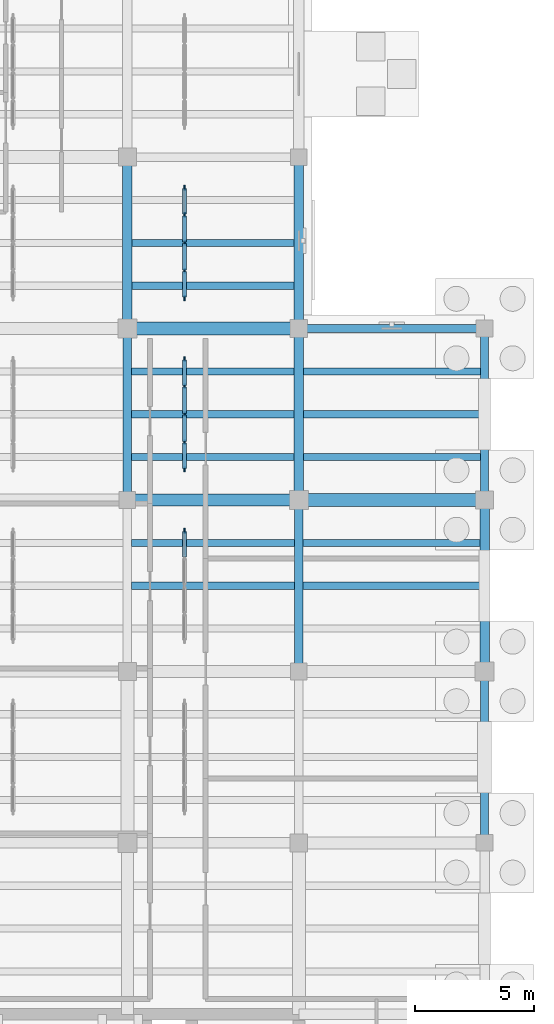
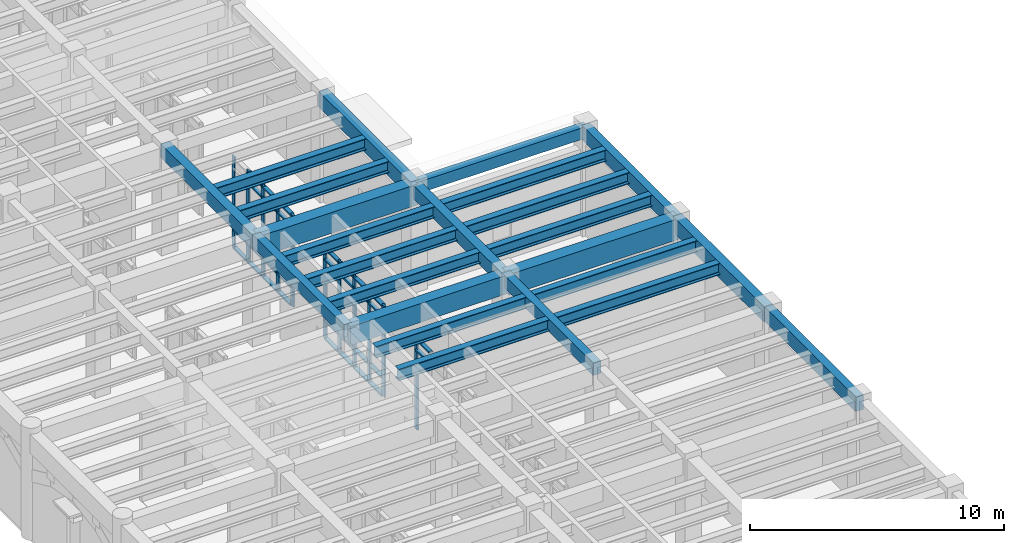
# One storey, part 44 of 100: 43 members, 24 beams, 3 elements without a shape of their own.
"""IFC4 building model written with IfcOpenShell, lengths in metres."""

from ifc_helpers import new_model, si_unit, direction, frame, origin, origin_2d, place, context, subcontext, project, spatial, rectangle, i_section, extrude, material, material_profile, profile_set, type_object, element, aggregate, save


model = new_model("IFC4")

# Units and contexts
model_context = context("Model", 3, precision=1e-05, world=origin(), true_north=direction((0.0, 1.0)))
body_context = subcontext(model_context, "Body", "Model", "MODEL_VIEW")
ifc_project = project(units=[si_unit("LENGTHUNIT", "METRE"), si_unit("AREAUNIT", "SQUARE_METRE"), si_unit("VOLUMEUNIT", "CUBIC_METRE"), si_unit("PLANEANGLEUNIT", "RADIAN"), si_unit("MASSUNIT", "GRAM", prefix="KILO")], contexts=[model_context])

# Site, building, storey
site_placement = place(None, origin())
site = spatial("IfcSite", under=ifc_project, at=site_placement, CompositionType="ELEMENT")
building_placement = place(site_placement, origin())
building = spatial("IfcBuilding", under=site, at=building_placement, Name="Mithqara Police Headquarters", CompositionType="ELEMENT")
storey_placement = place(building_placement, origin())
storey = spatial("IfcBuildingStorey", under=building, at=storey_placement, Name="L00", CompositionType="ELEMENT", Elevation=0.0)

# Beams
ifc_material_1 = material(Name="Steel S355JR", Category="steel")
ifc_material_profile_1 = material_profile(ifc_material_1, i_section(OverallWidth=0.300048828125, OverallDepth=0.550048828125, WebThickness=0.014892578125, FlangeThickness=0.029052734375, FilletRadius=0.027099609375, at=origin_2d()), Name="HEB 550")
ifc_profile_set_1 = profile_set([ifc_material_profile_1], Name="Steel S355JR")
beam_type_1 = type_object("IfcBeamType", Name="BEAM HEB550", PredefinedType="BEAM", material=ifc_profile_set_1)
for number, where, z_axis, x_axis, name in (
    (1, (159.175048828125, 67.800048828125, 4.844970703125), (1.0, 0.0, 0.0), (0.0, 1.0, 0.0), "L00 Composite Steel Joist 23-24/K.2"),
    (2, (159.175048828125, 69.60009765625, 4.844970703125), (1.0, 0.0, 0.0), (0.0, 1.0, 0.0), "L00 Composite Steel Joist 23-24/K.3"),
):
    element("IfcBeam", number, at=place(storey_placement, frame(where, z_axis=z_axis, x_axis=x_axis)), inside=storey, type_object=beam_type_1, Name=name, PredefinedType="BEAM", context=body_context, shape_type="SweptSolid", body=[
        extrude(i_section(OverallWidth=0.300048828125, OverallDepth=0.550048828125, WebThickness=0.014892578125, FlangeThickness=0.029052734375, FilletRadius=0.027099609375, at=origin_2d()), origin(), (0.0, 0.0, 1.0), 6.849853515625),
    ])
for number, where, z_axis, x_axis, name in (
    (3, (159.175048828125, 73.199951171875, 4.844970703125), (1.0, 0.0, 0.0), (0.0, 1.0, 0.0), "L00 Composite Steel Joist 23-24/L.1"),
    (4, (159.175048828125, 75.0, 4.844970703125), (1.0, 0.0, 0.0), (0.0, 1.0, 0.0), "L00 Composite Steel Joist 23-24/L.2"),
    (5, (159.175048828125, 76.800048828125, 4.844970703125), (1.0, 0.0, 0.0), (0.0, 1.0, 0.0), "L00 Composite Steel Joist 23-24/L.3"),
):
    element("IfcBeam", number, at=place(storey_placement, frame(where, z_axis=z_axis, x_axis=x_axis)), inside=storey, type_object=beam_type_1, Name=name, PredefinedType="BEAM", context=body_context, shape_type="SweptSolid", body=[
        extrude(i_section(OverallWidth=0.300048828125, OverallDepth=0.550048828125, WebThickness=0.014892578125, FlangeThickness=0.029052734375, FilletRadius=0.027099609375, at=origin_2d()), origin(), (0.0, 0.0, 1.0), 6.824951171875),
    ])
for number, where, z_axis, x_axis, name in (
    (6, (159.199951171875, 80.39990234375, 4.844970703125), (1.0, 0.0, 0.0), (0.0, 1.0, 0.0), "L00 Composite Steel Joist 23-24/M.1"),
    (7, (159.199951171875, 82.199951171875, 4.844970703125), (1.0, 0.0, 0.0), (0.0, 1.0, 0.0), "L00 Composite Steel Joist 23-24/M.2"),
):
    element("IfcBeam", number, at=place(storey_placement, frame(where, z_axis=z_axis, x_axis=x_axis)), inside=storey, type_object=beam_type_1, Name=name, PredefinedType="BEAM", context=body_context, shape_type="SweptSolid", body=[
        extrude(i_section(OverallWidth=0.300048828125, OverallDepth=0.550048828125, WebThickness=0.014892578125, FlangeThickness=0.029052734375, FilletRadius=0.027099609375, at=origin_2d()), origin(), (0.0, 0.0, 1.0), 6.800048828125),
    ])
for number, where, z_axis, x_axis, name in (
    (8, (166.375, 67.800048828125, 4.844970703125), (1.0, 0.0, 0.0), (0.0, 1.0, 0.0), "L00 Composite Steel Joist 24-25/K.2"),
    (9, (166.375, 69.60009765625, 4.844970703125), (1.0, 0.0, 0.0), (0.0, 1.0, 0.0), "L00 Composite Steel Joist 24-25/K.3"),
    (10, (166.39990234375, 73.199951171875, 4.844970703125), (1.0, 0.0, 0.0), (0.0, 1.0, 0.0), "L00 Composite Steel Joist 24-25/L.1"),
    (11, (166.39990234375, 75.0, 4.844970703125), (1.0, 0.0, 0.0), (0.0, 1.0, 0.0), "L00 Composite Steel Joist 24-25/L.2"),
    (12, (166.39990234375, 76.800048828125, 4.844970703125), (1.0, 0.0, 0.0), (0.0, 1.0, 0.0), "L00 Composite Steel Joist 24-25/L.3"),
):
    element("IfcBeam", number, at=place(storey_placement, frame(where, z_axis=z_axis, x_axis=x_axis)), inside=storey, type_object=beam_type_1, Name=name, PredefinedType="BEAM", context=body_context, shape_type="SweptSolid", body=[
        extrude(i_section(OverallWidth=0.300048828125, OverallDepth=0.550048828125, WebThickness=0.014892578125, FlangeThickness=0.029052734375, FilletRadius=0.027099609375, at=origin_2d()), origin(), (0.0, 0.0, 1.0), 7.425048828125),
    ])
ifc_material_2 = material(Name="Concrete C40/50", Category="concrete")
ifc_material_profile_2 = material_profile(ifc_material_2, rectangle(XDim=0.35009765625, YDim=0.550048828125, at=origin_2d()), Name="RC 350x550")
ifc_profile_set_2 = profile_set([ifc_material_profile_2], Name="Concrete C40/50")
beam_type_2 = type_object("IfcBeamType", Name="BEAM RC350X550", PredefinedType="BEAM", material=ifc_profile_set_2)
beam_1_placement = place(storey_placement, frame((166.199951171875, 78.60009765625, 4.844970703125), z_axis=(1.0, 0.0, 0.0), x_axis=(0.0, 1.0, 0.0)))
element("IfcBeam", 13, at=beam_1_placement, inside=storey, type_object=beam_type_2, Name="L00 Girder 24-25/M", PredefinedType="BEAM", context=body_context, shape_type="SweptSolid", body=[
    extrude(rectangle(XDim=0.35009765625, YDim=0.550048828125, at=origin_2d()), origin(), (0.0, 0.0, 1.0), 7.800048828125),
])
ifc_material_profile_3 = material_profile(ifc_material_2, rectangle(XDim=0.35009765625, YDim=0.60009765625, at=origin_2d()), Name="RC 350x600")
ifc_profile_set_3 = profile_set([ifc_material_profile_3], Name="Concrete C40/50")
beam_type_3 = type_object("IfcBeamType", Name="BEAM RC350X600", PredefinedType="BEAM", material=ifc_profile_set_3)
beam_2_placement = place(storey_placement, frame((159.0, 71.39990234375, 4.820068359375), z_axis=(0.0, 1.0, 0.0), x_axis=(-1.0, 0.0, 0.0)))
element("IfcBeam", 14, at=beam_2_placement, inside=storey, type_object=beam_type_3, Name="L00 Girder 23/L-M", PredefinedType="BEAM", context=body_context, shape_type="SweptSolid", body=[
    extrude(rectangle(XDim=0.35009765625, YDim=0.60009765625, at=origin_2d()), origin(), (0.0, 0.0, 1.0), 7.2001953125),
])
beam_3_placement = place(storey_placement, frame((166.199951171875, 64.199951171875, 4.820068359375), z_axis=(0.0, 1.0, 0.0), x_axis=(-1.0, 0.0, 0.0)))
element("IfcBeam", 15, at=beam_3_placement, inside=storey, type_object=beam_type_3, Name="L00 Girder 24/K-L", PredefinedType="BEAM", context=body_context, shape_type="SweptSolid", body=[
    extrude(rectangle(XDim=0.35009765625, YDim=0.60009765625, at=origin_2d()), origin(), (0.0, 0.0, 1.0), 7.199951171875),
])
ifc_material_profile_4 = material_profile(ifc_material_2, rectangle(XDim=0.39990234375, YDim=0.64990234375, at=origin_2d()), Name="RC 400x650")
ifc_profile_set_4 = profile_set([ifc_material_profile_4], Name="Concrete C40/50")
beam_type_4 = type_object("IfcBeamType", Name="BEAM RC400X650", PredefinedType="BEAM", material=ifc_profile_set_4)
beam_4_placement = place(storey_placement, frame((159.0, 78.60009765625, 4.794921875), z_axis=(0.0, 1.0, 0.0), x_axis=(-1.0, 0.0, 0.0)))
element("IfcBeam", 16, at=beam_4_placement, inside=storey, type_object=beam_type_4, Name="L00 Girder 23/M-N", PredefinedType="BEAM", context=body_context, shape_type="SweptSolid", body=[
    extrude(rectangle(XDim=0.39990234375, YDim=0.64990234375, at=origin_2d()), origin(), (0.0, 0.0, 1.0), 7.199951171875),
])
beam_5_placement = place(storey_placement, frame((166.199951171875, 71.39990234375, 4.794921875), z_axis=(0.0, 1.0, 0.0), x_axis=(-1.0, 0.0, 0.0)))
element("IfcBeam", 17, at=beam_5_placement, inside=storey, type_object=beam_type_4, Name="L00 Girder 24/L-M", PredefinedType="BEAM", context=body_context, shape_type="SweptSolid", body=[
    extrude(rectangle(XDim=0.39990234375, YDim=0.64990234375, at=origin_2d()), origin(), (0.0, 0.0, 1.0), 7.2001953125),
])
ifc_material_profile_5 = material_profile(ifc_material_2, rectangle(XDim=0.39990234375, YDim=0.75, at=origin_2d()), Name="RC 400x750")
ifc_profile_set_5 = profile_set([ifc_material_profile_5], Name="Concrete C40/50")
beam_type_5 = type_object("IfcBeamType", Name="BEAM RC400X750", PredefinedType="BEAM", material=ifc_profile_set_5)
beam_6_placement = place(storey_placement, frame((166.199951171875, 78.60009765625, 4.7451171875), z_axis=(0.0, 1.0, 0.0), x_axis=(-1.0, 0.0, 0.0)))
element("IfcBeam", 18, at=beam_6_placement, inside=storey, type_object=beam_type_5, Name="L00 Girder 24/M-N", PredefinedType="BEAM", context=body_context, shape_type="SweptSolid", body=[
    extrude(rectangle(XDim=0.39990234375, YDim=0.75, at=origin_2d()), origin(), (0.0, 0.0, 1.0), 7.199951171875),
])
ifc_material_3 = material(Name="Concrete C50/60", Category="concrete")
ifc_material_profile_6 = material_profile(ifc_material_3, rectangle(XDim=0.5, YDim=0.89990234375, at=origin_2d()), Name="RC 500x900")
ifc_profile_set_6 = profile_set([ifc_material_profile_6], Name="Concrete C50/60")
beam_type_6 = type_object("IfcBeamType", Name="BEAM RC500X900", PredefinedType="BEAM", material=ifc_profile_set_6)
beam_7_placement = place(storey_placement, frame((159.0, 71.39990234375, 4.669921875), z_axis=(1.0, 0.0, 0.0), x_axis=(0.0, 1.0, 0.0)))
element("IfcBeam", 19, at=beam_7_placement, inside=storey, type_object=beam_type_6, Name="L00 Girder 23-24/L", PredefinedType="BEAM", context=body_context, shape_type="SweptSolid", body=[
    extrude(rectangle(XDim=0.5, YDim=0.89990234375, at=origin_2d()), origin(), (0.0, 0.0, 1.0), 7.199951171875),
])
ifc_material_profile_7 = material_profile(ifc_material_3, rectangle(XDim=0.550048828125, YDim=1.0, at=origin_2d()), Name="RC 550x1000")
ifc_profile_set_7 = profile_set([ifc_material_profile_7], Name="Concrete C50/60")
beam_type_7 = type_object("IfcBeamType", Name="BEAM RC550X1000", PredefinedType="BEAM", material=ifc_profile_set_7)
beam_8_placement = place(storey_placement, frame((159.0, 78.60009765625, 4.6201171875), z_axis=(1.0, 0.0, 0.0), x_axis=(0.0, 1.0, 0.0)))
element("IfcBeam", 20, at=beam_8_placement, inside=storey, type_object=beam_type_7, Name="L00 Girder 23-24/M", PredefinedType="BEAM", context=body_context, shape_type="SweptSolid", body=[
    extrude(rectangle(XDim=0.550048828125, YDim=1.0, at=origin_2d()), origin(), (0.0, 0.0, 1.0), 7.199951171875),
])
beam_9_placement = place(storey_placement, frame((166.199951171875, 71.39990234375, 4.6201171875), z_axis=(1.0, 0.0, 0.0), x_axis=(0.0, 1.0, 0.0)))
element("IfcBeam", 21, at=beam_9_placement, inside=storey, type_object=beam_type_7, Name="L00 Girder 24-25/L", PredefinedType="BEAM", context=body_context, shape_type="SweptSolid", body=[
    extrude(rectangle(XDim=0.550048828125, YDim=1.0, at=origin_2d()), origin(), (0.0, 0.0, 1.0), 7.800048828125),
])

# Curtain wall, member
ifc_material_4 = material(Name="Bronze anodised aluminium 6063-T6", Category="aluminium")
curtain_wall_type = type_object("IfcCurtainWallType", Name="CURTAIN WALL 4700X4400", PredefinedType="USERDEFINED", material=ifc_material_4)
curtain_wall_1_placement = place(storey_placement, origin())
curtain_wall_1 = element("IfcCurtainWall", 22, at=curtain_wall_1_placement, inside=storey, type_object=curtain_wall_type, Name="L00 Unitised Glazing CW-14 (CW-INT-L00-X22-Y09-0)", ObjectType="UNITISED GLAZING", PredefinedType="USERDEFINED")
ifc_material_profile_8 = material_profile(ifc_material_4, rectangle(XDim=0.074951171875, YDim=0.219970703125, at=origin_2d()), Name="CWM 75x220")
ifc_profile_set_8 = profile_set([ifc_material_profile_8], Name="Bronze anodised aluminium 6063-T6")
member_type_1 = type_object("IfcMemberType", Name="CWMULLION 75X220", PredefinedType="MULLION", material=ifc_profile_set_8)
member_1_placement = place(storey_placement, frame((161.39990234375, 70.112548828125, 0.0), z_axis=(0.0, 0.0, 1.0), x_axis=(-1.0, 0.0, 0.0)))
member_1 = element("IfcMember", 23, at=member_1_placement, type_object=member_type_1, Name="CW-14 mullion 5", PredefinedType="MULLION", context=body_context, shape_type="SweptSolid", body=[
    extrude(rectangle(XDim=0.074951171875, YDim=0.219970703125, at=origin_2d()), origin(), (0.0, 0.0, 1.0), 4.39990234375),
])

# Curtain wall, members
curtain_wall_2_placement = place(storey_placement, origin())
curtain_wall_2 = element("IfcCurtainWall", 24, at=curtain_wall_2_placement, inside=storey, type_object=curtain_wall_type, Name="L00 Unitised Glazing CW-14 (CW-INT-L00-X22-Y10-0)", ObjectType="UNITISED GLAZING", PredefinedType="USERDEFINED")
member_2_placement = place(storey_placement, frame((161.39990234375, 72.6875, 0.0), z_axis=(0.0, 0.0, 1.0), x_axis=(-1.0, 0.0, 0.0)))
member_2 = element("IfcMember", 25, at=member_2_placement, type_object=member_type_1, Name="CW-14 mullion 1", PredefinedType="MULLION", context=body_context, shape_type="SweptSolid", body=[
    extrude(rectangle(XDim=0.074951171875, YDim=0.219970703125, at=origin_2d()), origin(), (0.0, 0.0, 1.0), 4.39990234375),
])
member_3_placement = place(storey_placement, frame((161.39990234375, 73.824951171875, 0.0), z_axis=(0.0, 0.0, 1.0), x_axis=(-1.0, 0.0, 0.0)))
member_3 = element("IfcMember", 26, at=member_3_placement, type_object=member_type_1, Name="CW-14 mullion 2", PredefinedType="MULLION", context=body_context, shape_type="SweptSolid", body=[
    extrude(rectangle(XDim=0.074951171875, YDim=0.219970703125, at=origin_2d()), origin(), (0.0, 0.0, 1.0), 4.39990234375),
])
member_4_placement = place(storey_placement, frame((161.39990234375, 75.0, 0.0), z_axis=(0.0, 0.0, 1.0), x_axis=(-1.0, 0.0, 0.0)))
member_4 = element("IfcMember", 27, at=member_4_placement, type_object=member_type_1, Name="CW-14 mullion 3", PredefinedType="MULLION", context=body_context, shape_type="SweptSolid", body=[
    extrude(rectangle(XDim=0.074951171875, YDim=0.219970703125, at=origin_2d()), origin(), (0.0, 0.0, 1.0), 4.39990234375),
])
member_5_placement = place(storey_placement, frame((161.39990234375, 76.175048828125, 0.0), z_axis=(0.0, 0.0, 1.0), x_axis=(-1.0, 0.0, 0.0)))
member_5 = element("IfcMember", 28, at=member_5_placement, type_object=member_type_1, Name="CW-14 mullion 4", PredefinedType="MULLION", context=body_context, shape_type="SweptSolid", body=[
    extrude(rectangle(XDim=0.074951171875, YDim=0.219970703125, at=origin_2d()), origin(), (0.0, 0.0, 1.0), 4.39990234375),
])
member_6_placement = place(storey_placement, frame((161.39990234375, 77.3125, 0.0), z_axis=(0.0, 0.0, 1.0), x_axis=(-1.0, 0.0, 0.0)))
member_6 = element("IfcMember", 29, at=member_6_placement, type_object=member_type_1, Name="CW-14 mullion 5", PredefinedType="MULLION", context=body_context, shape_type="SweptSolid", body=[
    extrude(rectangle(XDim=0.074951171875, YDim=0.219970703125, at=origin_2d()), origin(), (0.0, 0.0, 1.0), 4.39990234375),
])

curtain_wall_3_placement = place(storey_placement, origin())
curtain_wall_3 = element("IfcCurtainWall", 30, at=curtain_wall_3_placement, inside=storey, type_object=curtain_wall_type, Name="L00 Unitised Glazing CW-14 (CW-INT-L00-X22-Y11-0)", ObjectType="UNITISED GLAZING", PredefinedType="USERDEFINED")
member_7_placement = place(storey_placement, frame((161.39990234375, 79.887451171875, 0.0), z_axis=(0.0, 0.0, 1.0), x_axis=(-1.0, 0.0, 0.0)))
member_7 = element("IfcMember", 31, at=member_7_placement, type_object=member_type_1, Name="CW-14 mullion 1", PredefinedType="MULLION", context=body_context, shape_type="SweptSolid", body=[
    extrude(rectangle(XDim=0.074951171875, YDim=0.219970703125, at=origin_2d()), origin(), (0.0, 0.0, 1.0), 4.39990234375),
])
member_8_placement = place(storey_placement, frame((161.39990234375, 81.02490234375, 0.0), z_axis=(0.0, 0.0, 1.0), x_axis=(-1.0, 0.0, 0.0)))
member_8 = element("IfcMember", 32, at=member_8_placement, type_object=member_type_1, Name="CW-14 mullion 2", PredefinedType="MULLION", context=body_context, shape_type="SweptSolid", body=[
    extrude(rectangle(XDim=0.074951171875, YDim=0.219970703125, at=origin_2d()), origin(), (0.0, 0.0, 1.0), 4.39990234375),
])
member_9_placement = place(storey_placement, frame((161.39990234375, 82.199951171875, 0.0), z_axis=(0.0, 0.0, 1.0), x_axis=(-1.0, 0.0, 0.0)))
member_9 = element("IfcMember", 33, at=member_9_placement, type_object=member_type_1, Name="CW-14 mullion 3", PredefinedType="MULLION", context=body_context, shape_type="SweptSolid", body=[
    extrude(rectangle(XDim=0.074951171875, YDim=0.219970703125, at=origin_2d()), origin(), (0.0, 0.0, 1.0), 4.39990234375),
])
member_10_placement = place(storey_placement, frame((161.39990234375, 83.375, 0.0), z_axis=(0.0, 0.0, 1.0), x_axis=(-1.0, 0.0, 0.0)))
member_10 = element("IfcMember", 34, at=member_10_placement, type_object=member_type_1, Name="CW-14 mullion 4", PredefinedType="MULLION", context=body_context, shape_type="SweptSolid", body=[
    extrude(rectangle(XDim=0.074951171875, YDim=0.219970703125, at=origin_2d()), origin(), (0.0, 0.0, 1.0), 4.39990234375),
])
member_11_placement = place(storey_placement, frame((161.39990234375, 84.512451171875, 0.0), z_axis=(0.0, 0.0, 1.0), x_axis=(-1.0, 0.0, 0.0)))
member_11 = element("IfcMember", 35, at=member_11_placement, type_object=member_type_1, Name="CW-14 mullion 5", PredefinedType="MULLION", context=body_context, shape_type="SweptSolid", body=[
    extrude(rectangle(XDim=0.074951171875, YDim=0.219970703125, at=origin_2d()), origin(), (0.0, 0.0, 1.0), 4.39990234375),
])

# Member
ifc_material_profile_9 = material_profile(ifc_material_4, rectangle(XDim=0.179931640625, YDim=0.074951171875, at=origin_2d()), Name="CWT 180x75")
ifc_profile_set_9 = profile_set([ifc_material_profile_9], Name="Bronze anodised aluminium 6063-T6")
member_type_2 = type_object("IfcMemberType", Name="CWTRANSOM 180X75", PredefinedType="USERDEFINED", material=ifc_profile_set_9)
member_12_placement = place(storey_placement, frame((161.39990234375, 69.012451171875, 3.85009765625), z_axis=(0.0, 1.0, 0.0), x_axis=(-1.0, 0.0, 0.0)))
member_12 = element("IfcMember", 36, at=member_12_placement, type_object=member_type_2, Name="CW-14 transom 4.3", ObjectType="TRANSOM", PredefinedType="USERDEFINED", context=body_context, shape_type="SweptSolid", body=[
    extrude(rectangle(XDim=0.179931640625, YDim=0.074951171875, at=origin_2d()), origin(), (0.0, 0.0, 1.0), 1.0625),
])

member_13_placement = place(storey_placement, frame((161.39990234375, 69.012451171875, 4.362548828125), z_axis=(0.0, 1.0, 0.0), x_axis=(-1.0, 0.0, 0.0)))
member_13 = element("IfcMember", 37, at=member_13_placement, type_object=member_type_2, Name="CW-14 transom 4.4", ObjectType="TRANSOM", PredefinedType="USERDEFINED", context=body_context, shape_type="SweptSolid", body=[
    extrude(rectangle(XDim=0.179931640625, YDim=0.074951171875, at=origin_2d()), origin(), (0.0, 0.0, 1.0), 1.0625),
])

aggregate(curtain_wall_1, [member_1, member_12, member_13])

member_14_placement = place(storey_placement, frame((161.39990234375, 72.72509765625, 0.03759765625), z_axis=(0.0, 1.0, 0.0), x_axis=(-1.0, 0.0, 0.0)))
member_14 = element("IfcMember", 38, at=member_14_placement, type_object=member_type_2, Name="CW-14 transom 1.1", ObjectType="TRANSOM", PredefinedType="USERDEFINED", context=body_context, shape_type="SweptSolid", body=[
    extrude(rectangle(XDim=0.179931640625, YDim=0.074951171875, at=origin_2d()), origin(), (0.0, 0.0, 1.0), 1.0625),
])

member_15_placement = place(storey_placement, frame((161.39990234375, 72.72509765625, 0.89990234375), z_axis=(0.0, 1.0, 0.0), x_axis=(-1.0, 0.0, 0.0)))
member_15 = element("IfcMember", 39, at=member_15_placement, type_object=member_type_2, Name="CW-14 transom 1.2", ObjectType="TRANSOM", PredefinedType="USERDEFINED", context=body_context, shape_type="SweptSolid", body=[
    extrude(rectangle(XDim=0.179931640625, YDim=0.074951171875, at=origin_2d()), origin(), (0.0, 0.0, 1.0), 1.0625),
])

member_16_placement = place(storey_placement, frame((161.39990234375, 72.72509765625, 3.85009765625), z_axis=(0.0, 1.0, 0.0), x_axis=(-1.0, 0.0, 0.0)))
member_16 = element("IfcMember", 40, at=member_16_placement, type_object=member_type_2, Name="CW-14 transom 1.3", ObjectType="TRANSOM", PredefinedType="USERDEFINED", context=body_context, shape_type="SweptSolid", body=[
    extrude(rectangle(XDim=0.179931640625, YDim=0.074951171875, at=origin_2d()), origin(), (0.0, 0.0, 1.0), 1.0625),
])

member_17_placement = place(storey_placement, frame((161.39990234375, 72.72509765625, 4.362548828125), z_axis=(0.0, 1.0, 0.0), x_axis=(-1.0, 0.0, 0.0)))
member_17 = element("IfcMember", 41, at=member_17_placement, type_object=member_type_2, Name="CW-14 transom 1.4", ObjectType="TRANSOM", PredefinedType="USERDEFINED", context=body_context, shape_type="SweptSolid", body=[
    extrude(rectangle(XDim=0.179931640625, YDim=0.074951171875, at=origin_2d()), origin(), (0.0, 0.0, 1.0), 1.0625),
])

member_18_placement = place(storey_placement, frame((161.39990234375, 73.862548828125, 0.03759765625), z_axis=(0.0, 1.0, 0.0), x_axis=(-1.0, 0.0, 0.0)))
member_18 = element("IfcMember", 42, at=member_18_placement, type_object=member_type_2, Name="CW-14 transom 2.1", ObjectType="TRANSOM", PredefinedType="USERDEFINED", context=body_context, shape_type="SweptSolid", body=[
    extrude(rectangle(XDim=0.179931640625, YDim=0.074951171875, at=origin_2d()), origin(), (0.0, 0.0, 1.0), 1.099853515625),
])

member_19_placement = place(storey_placement, frame((161.39990234375, 73.862548828125, 0.89990234375), z_axis=(0.0, 1.0, 0.0), x_axis=(-1.0, 0.0, 0.0)))
member_19 = element("IfcMember", 43, at=member_19_placement, type_object=member_type_2, Name="CW-14 transom 2.2", ObjectType="TRANSOM", PredefinedType="USERDEFINED", context=body_context, shape_type="SweptSolid", body=[
    extrude(rectangle(XDim=0.179931640625, YDim=0.074951171875, at=origin_2d()), origin(), (0.0, 0.0, 1.0), 1.099853515625),
])

member_20_placement = place(storey_placement, frame((161.39990234375, 73.862548828125, 3.85009765625), z_axis=(0.0, 1.0, 0.0), x_axis=(-1.0, 0.0, 0.0)))
member_20 = element("IfcMember", 44, at=member_20_placement, type_object=member_type_2, Name="CW-14 transom 2.3", ObjectType="TRANSOM", PredefinedType="USERDEFINED", context=body_context, shape_type="SweptSolid", body=[
    extrude(rectangle(XDim=0.179931640625, YDim=0.074951171875, at=origin_2d()), origin(), (0.0, 0.0, 1.0), 1.099853515625),
])

member_21_placement = place(storey_placement, frame((161.39990234375, 73.862548828125, 4.362548828125), z_axis=(0.0, 1.0, 0.0), x_axis=(-1.0, 0.0, 0.0)))
member_21 = element("IfcMember", 45, at=member_21_placement, type_object=member_type_2, Name="CW-14 transom 2.4", ObjectType="TRANSOM", PredefinedType="USERDEFINED", context=body_context, shape_type="SweptSolid", body=[
    extrude(rectangle(XDim=0.179931640625, YDim=0.074951171875, at=origin_2d()), origin(), (0.0, 0.0, 1.0), 1.099853515625),
])

member_22_placement = place(storey_placement, frame((161.39990234375, 75.03759765625, 0.03759765625), z_axis=(0.0, 1.0, 0.0), x_axis=(-1.0, 0.0, 0.0)))
member_22 = element("IfcMember", 46, at=member_22_placement, type_object=member_type_2, Name="CW-14 transom 3.1", ObjectType="TRANSOM", PredefinedType="USERDEFINED", context=body_context, shape_type="SweptSolid", body=[
    extrude(rectangle(XDim=0.179931640625, YDim=0.074951171875, at=origin_2d()), origin(), (0.0, 0.0, 1.0), 1.099853515625),
])

member_23_placement = place(storey_placement, frame((161.39990234375, 75.03759765625, 0.89990234375), z_axis=(0.0, 1.0, 0.0), x_axis=(-1.0, 0.0, 0.0)))
member_23 = element("IfcMember", 47, at=member_23_placement, type_object=member_type_2, Name="CW-14 transom 3.2", ObjectType="TRANSOM", PredefinedType="USERDEFINED", context=body_context, shape_type="SweptSolid", body=[
    extrude(rectangle(XDim=0.179931640625, YDim=0.074951171875, at=origin_2d()), origin(), (0.0, 0.0, 1.0), 1.099853515625),
])

member_24_placement = place(storey_placement, frame((161.39990234375, 75.03759765625, 3.85009765625), z_axis=(0.0, 1.0, 0.0), x_axis=(-1.0, 0.0, 0.0)))
member_24 = element("IfcMember", 48, at=member_24_placement, type_object=member_type_2, Name="CW-14 transom 3.3", ObjectType="TRANSOM", PredefinedType="USERDEFINED", context=body_context, shape_type="SweptSolid", body=[
    extrude(rectangle(XDim=0.179931640625, YDim=0.074951171875, at=origin_2d()), origin(), (0.0, 0.0, 1.0), 1.099853515625),
])

member_25_placement = place(storey_placement, frame((161.39990234375, 75.03759765625, 4.362548828125), z_axis=(0.0, 1.0, 0.0), x_axis=(-1.0, 0.0, 0.0)))
member_25 = element("IfcMember", 49, at=member_25_placement, type_object=member_type_2, Name="CW-14 transom 3.4", ObjectType="TRANSOM", PredefinedType="USERDEFINED", context=body_context, shape_type="SweptSolid", body=[
    extrude(rectangle(XDim=0.179931640625, YDim=0.074951171875, at=origin_2d()), origin(), (0.0, 0.0, 1.0), 1.099853515625),
])

member_26_placement = place(storey_placement, frame((161.39990234375, 76.21240234375, 0.03759765625), z_axis=(0.0, 1.0, 0.0), x_axis=(-1.0, 0.0, 0.0)))
member_26 = element("IfcMember", 50, at=member_26_placement, type_object=member_type_2, Name="CW-14 transom 4.1", ObjectType="TRANSOM", PredefinedType="USERDEFINED", context=body_context, shape_type="SweptSolid", body=[
    extrude(rectangle(XDim=0.179931640625, YDim=0.074951171875, at=origin_2d()), origin(), (0.0, 0.0, 1.0), 1.0625),
])

member_27_placement = place(storey_placement, frame((161.39990234375, 76.21240234375, 0.89990234375), z_axis=(0.0, 1.0, 0.0), x_axis=(-1.0, 0.0, 0.0)))
member_27 = element("IfcMember", 51, at=member_27_placement, type_object=member_type_2, Name="CW-14 transom 4.2", ObjectType="TRANSOM", PredefinedType="USERDEFINED", context=body_context, shape_type="SweptSolid", body=[
    extrude(rectangle(XDim=0.179931640625, YDim=0.074951171875, at=origin_2d()), origin(), (0.0, 0.0, 1.0), 1.0625),
])

member_28_placement = place(storey_placement, frame((161.39990234375, 76.21240234375, 3.85009765625), z_axis=(0.0, 1.0, 0.0), x_axis=(-1.0, 0.0, 0.0)))
member_28 = element("IfcMember", 52, at=member_28_placement, type_object=member_type_2, Name="CW-14 transom 4.3", ObjectType="TRANSOM", PredefinedType="USERDEFINED", context=body_context, shape_type="SweptSolid", body=[
    extrude(rectangle(XDim=0.179931640625, YDim=0.074951171875, at=origin_2d()), origin(), (0.0, 0.0, 1.0), 1.0625),
])

member_29_placement = place(storey_placement, frame((161.39990234375, 76.21240234375, 4.362548828125), z_axis=(0.0, 1.0, 0.0), x_axis=(-1.0, 0.0, 0.0)))
member_29 = element("IfcMember", 53, at=member_29_placement, type_object=member_type_2, Name="CW-14 transom 4.4", ObjectType="TRANSOM", PredefinedType="USERDEFINED", context=body_context, shape_type="SweptSolid", body=[
    extrude(rectangle(XDim=0.179931640625, YDim=0.074951171875, at=origin_2d()), origin(), (0.0, 0.0, 1.0), 1.0625),
])

aggregate(curtain_wall_2, [member_2, member_3, member_4, member_5, member_6, member_14, member_15, member_16, member_17, member_18, member_19, member_20, member_21, member_22, member_23, member_24, member_25, member_26, member_27, member_28, member_29])

member_30_placement = place(storey_placement, frame((161.39990234375, 79.925048828125, 0.03759765625), z_axis=(0.0, 1.0, 0.0), x_axis=(-1.0, 0.0, 0.0)))
member_30 = element("IfcMember", 54, at=member_30_placement, type_object=member_type_2, Name="CW-14 transom 1.1", ObjectType="TRANSOM", PredefinedType="USERDEFINED", context=body_context, shape_type="SweptSolid", body=[
    extrude(rectangle(XDim=0.179931640625, YDim=0.074951171875, at=origin_2d()), origin(), (0.0, 0.0, 1.0), 1.0625),
])

member_31_placement = place(storey_placement, frame((161.39990234375, 79.925048828125, 0.89990234375), z_axis=(0.0, 1.0, 0.0), x_axis=(-1.0, 0.0, 0.0)))
member_31 = element("IfcMember", 55, at=member_31_placement, type_object=member_type_2, Name="CW-14 transom 1.2", ObjectType="TRANSOM", PredefinedType="USERDEFINED", context=body_context, shape_type="SweptSolid", body=[
    extrude(rectangle(XDim=0.179931640625, YDim=0.074951171875, at=origin_2d()), origin(), (0.0, 0.0, 1.0), 1.0625),
])

member_32_placement = place(storey_placement, frame((161.39990234375, 79.925048828125, 3.85009765625), z_axis=(0.0, 1.0, 0.0), x_axis=(-1.0, 0.0, 0.0)))
member_32 = element("IfcMember", 56, at=member_32_placement, type_object=member_type_2, Name="CW-14 transom 1.3", ObjectType="TRANSOM", PredefinedType="USERDEFINED", context=body_context, shape_type="SweptSolid", body=[
    extrude(rectangle(XDim=0.179931640625, YDim=0.074951171875, at=origin_2d()), origin(), (0.0, 0.0, 1.0), 1.0625),
])

member_33_placement = place(storey_placement, frame((161.39990234375, 79.925048828125, 4.362548828125), z_axis=(0.0, 1.0, 0.0), x_axis=(-1.0, 0.0, 0.0)))
member_33 = element("IfcMember", 57, at=member_33_placement, type_object=member_type_2, Name="CW-14 transom 1.4", ObjectType="TRANSOM", PredefinedType="USERDEFINED", context=body_context, shape_type="SweptSolid", body=[
    extrude(rectangle(XDim=0.179931640625, YDim=0.074951171875, at=origin_2d()), origin(), (0.0, 0.0, 1.0), 1.0625),
])

member_34_placement = place(storey_placement, frame((161.39990234375, 81.0625, 0.03759765625), z_axis=(0.0, 1.0, 0.0), x_axis=(-1.0, 0.0, 0.0)))
member_34 = element("IfcMember", 58, at=member_34_placement, type_object=member_type_2, Name="CW-14 transom 2.1", ObjectType="TRANSOM", PredefinedType="USERDEFINED", context=body_context, shape_type="SweptSolid", body=[
    extrude(rectangle(XDim=0.179931640625, YDim=0.074951171875, at=origin_2d()), origin(), (0.0, 0.0, 1.0), 1.10009765625),
])

member_35_placement = place(storey_placement, frame((161.39990234375, 81.0625, 0.89990234375), z_axis=(0.0, 1.0, 0.0), x_axis=(-1.0, 0.0, 0.0)))
member_35 = element("IfcMember", 59, at=member_35_placement, type_object=member_type_2, Name="CW-14 transom 2.2", ObjectType="TRANSOM", PredefinedType="USERDEFINED", context=body_context, shape_type="SweptSolid", body=[
    extrude(rectangle(XDim=0.179931640625, YDim=0.074951171875, at=origin_2d()), origin(), (0.0, 0.0, 1.0), 1.10009765625),
])

member_36_placement = place(storey_placement, frame((161.39990234375, 81.0625, 3.85009765625), z_axis=(0.0, 1.0, 0.0), x_axis=(-1.0, 0.0, 0.0)))
member_36 = element("IfcMember", 60, at=member_36_placement, type_object=member_type_2, Name="CW-14 transom 2.3", ObjectType="TRANSOM", PredefinedType="USERDEFINED", context=body_context, shape_type="SweptSolid", body=[
    extrude(rectangle(XDim=0.179931640625, YDim=0.074951171875, at=origin_2d()), origin(), (0.0, 0.0, 1.0), 1.10009765625),
])

member_37_placement = place(storey_placement, frame((161.39990234375, 81.0625, 4.362548828125), z_axis=(0.0, 1.0, 0.0), x_axis=(-1.0, 0.0, 0.0)))
member_37 = element("IfcMember", 61, at=member_37_placement, type_object=member_type_2, Name="CW-14 transom 2.4", ObjectType="TRANSOM", PredefinedType="USERDEFINED", context=body_context, shape_type="SweptSolid", body=[
    extrude(rectangle(XDim=0.179931640625, YDim=0.074951171875, at=origin_2d()), origin(), (0.0, 0.0, 1.0), 1.10009765625),
])

member_38_placement = place(storey_placement, frame((161.39990234375, 82.237548828125, 0.03759765625), z_axis=(0.0, 1.0, 0.0), x_axis=(-1.0, 0.0, 0.0)))
member_38 = element("IfcMember", 62, at=member_38_placement, type_object=member_type_2, Name="CW-14 transom 3.1", ObjectType="TRANSOM", PredefinedType="USERDEFINED", context=body_context, shape_type="SweptSolid", body=[
    extrude(rectangle(XDim=0.179931640625, YDim=0.074951171875, at=origin_2d()), origin(), (0.0, 0.0, 1.0), 1.099853515625),
])

member_39_placement = place(storey_placement, frame((161.39990234375, 82.237548828125, 0.89990234375), z_axis=(0.0, 1.0, 0.0), x_axis=(-1.0, 0.0, 0.0)))
member_39 = element("IfcMember", 63, at=member_39_placement, type_object=member_type_2, Name="CW-14 transom 3.2", ObjectType="TRANSOM", PredefinedType="USERDEFINED", context=body_context, shape_type="SweptSolid", body=[
    extrude(rectangle(XDim=0.179931640625, YDim=0.074951171875, at=origin_2d()), origin(), (0.0, 0.0, 1.0), 1.099853515625),
])

member_40_placement = place(storey_placement, frame((161.39990234375, 82.237548828125, 3.85009765625), z_axis=(0.0, 1.0, 0.0), x_axis=(-1.0, 0.0, 0.0)))
member_40 = element("IfcMember", 64, at=member_40_placement, type_object=member_type_2, Name="CW-14 transom 3.3", ObjectType="TRANSOM", PredefinedType="USERDEFINED", context=body_context, shape_type="SweptSolid", body=[
    extrude(rectangle(XDim=0.179931640625, YDim=0.074951171875, at=origin_2d()), origin(), (0.0, 0.0, 1.0), 1.099853515625),
])

member_41_placement = place(storey_placement, frame((161.39990234375, 82.237548828125, 4.362548828125), z_axis=(0.0, 1.0, 0.0), x_axis=(-1.0, 0.0, 0.0)))
member_41 = element("IfcMember", 65, at=member_41_placement, type_object=member_type_2, Name="CW-14 transom 3.4", ObjectType="TRANSOM", PredefinedType="USERDEFINED", context=body_context, shape_type="SweptSolid", body=[
    extrude(rectangle(XDim=0.179931640625, YDim=0.074951171875, at=origin_2d()), origin(), (0.0, 0.0, 1.0), 1.099853515625),
])

member_42_placement = place(storey_placement, frame((161.39990234375, 83.41259765625, 0.03759765625), z_axis=(0.0, 1.0, 0.0), x_axis=(-1.0, 0.0, 0.0)))
member_42 = element("IfcMember", 66, at=member_42_placement, type_object=member_type_2, Name="CW-14 transom 4.1", ObjectType="TRANSOM", PredefinedType="USERDEFINED", context=body_context, shape_type="SweptSolid", body=[
    extrude(rectangle(XDim=0.179931640625, YDim=0.074951171875, at=origin_2d()), origin(), (0.0, 0.0, 1.0), 1.0625),
])

member_43_placement = place(storey_placement, frame((161.39990234375, 83.41259765625, 0.89990234375), z_axis=(0.0, 1.0, 0.0), x_axis=(-1.0, 0.0, 0.0)))
member_43 = element("IfcMember", 67, at=member_43_placement, type_object=member_type_2, Name="CW-14 transom 4.2", ObjectType="TRANSOM", PredefinedType="USERDEFINED", context=body_context, shape_type="SweptSolid", body=[
    extrude(rectangle(XDim=0.179931640625, YDim=0.074951171875, at=origin_2d()), origin(), (0.0, 0.0, 1.0), 1.0625),
])

aggregate(curtain_wall_3, [member_7, member_8, member_9, member_10, member_11, member_30, member_31, member_32, member_33, member_34, member_35, member_36, member_37, member_38, member_39, member_40, member_41, member_42, member_43])

# Beams
ifc_material_profile_10 = material_profile(ifc_material_2, rectangle(XDim=0.35009765625, YDim=0.699951171875, at=origin_2d()), Name="SPB 350x700")
ifc_profile_set_10 = profile_set([ifc_material_profile_10], Name="Concrete C40/50")
beam_type_8 = type_object("IfcBeamType", Name="SPANDREL 350X700", PredefinedType="SPANDREL", material=ifc_profile_set_10)
beam_10_placement = place(storey_placement, frame((174.0, 57.0, 4.77001953125), z_axis=(0.0, 1.0, 0.0), x_axis=(-1.0, 0.0, 0.0)))
element("IfcBeam", 68, at=beam_10_placement, inside=storey, type_object=beam_type_8, Name="L00 Girder 25/J-K", PredefinedType="SPANDREL", context=body_context, shape_type="SweptSolid", body=[
    extrude(rectangle(XDim=0.35009765625, YDim=0.699951171875, at=origin_2d()), origin(), (0.0, 0.0, 1.0), 7.199951171875),
])
beam_11_placement = place(storey_placement, frame((174.0, 71.39990234375, 4.77001953125), z_axis=(0.0, 1.0, 0.0), x_axis=(-1.0, 0.0, 0.0)))
element("IfcBeam", 69, at=beam_11_placement, inside=storey, type_object=beam_type_8, Name="L00 Girder 25/L-M", PredefinedType="SPANDREL", context=body_context, shape_type="SweptSolid", body=[
    extrude(rectangle(XDim=0.35009765625, YDim=0.699951171875, at=origin_2d()), origin(), (0.0, 0.0, 1.0), 7.2001953125),
])
ifc_material_profile_11 = material_profile(ifc_material_2, rectangle(XDim=0.39990234375, YDim=0.75, at=origin_2d()), Name="SPB 400x750")
ifc_profile_set_11 = profile_set([ifc_material_profile_11], Name="Concrete C40/50")
beam_type_9 = type_object("IfcBeamType", Name="SPANDREL 400X750", PredefinedType="SPANDREL", material=ifc_profile_set_11)
beam_12_placement = place(storey_placement, frame((174.0, 64.199951171875, 4.7451171875), z_axis=(0.0, 1.0, 0.0), x_axis=(-1.0, 0.0, 0.0)))
element("IfcBeam", 70, at=beam_12_placement, inside=storey, type_object=beam_type_9, Name="L00 Girder 25/K-L", PredefinedType="SPANDREL", context=body_context, shape_type="SweptSolid", body=[
    extrude(rectangle(XDim=0.39990234375, YDim=0.75, at=origin_2d()), origin(), (0.0, 0.0, 1.0), 7.199951171875),
])

save(model, "model.ifc")
